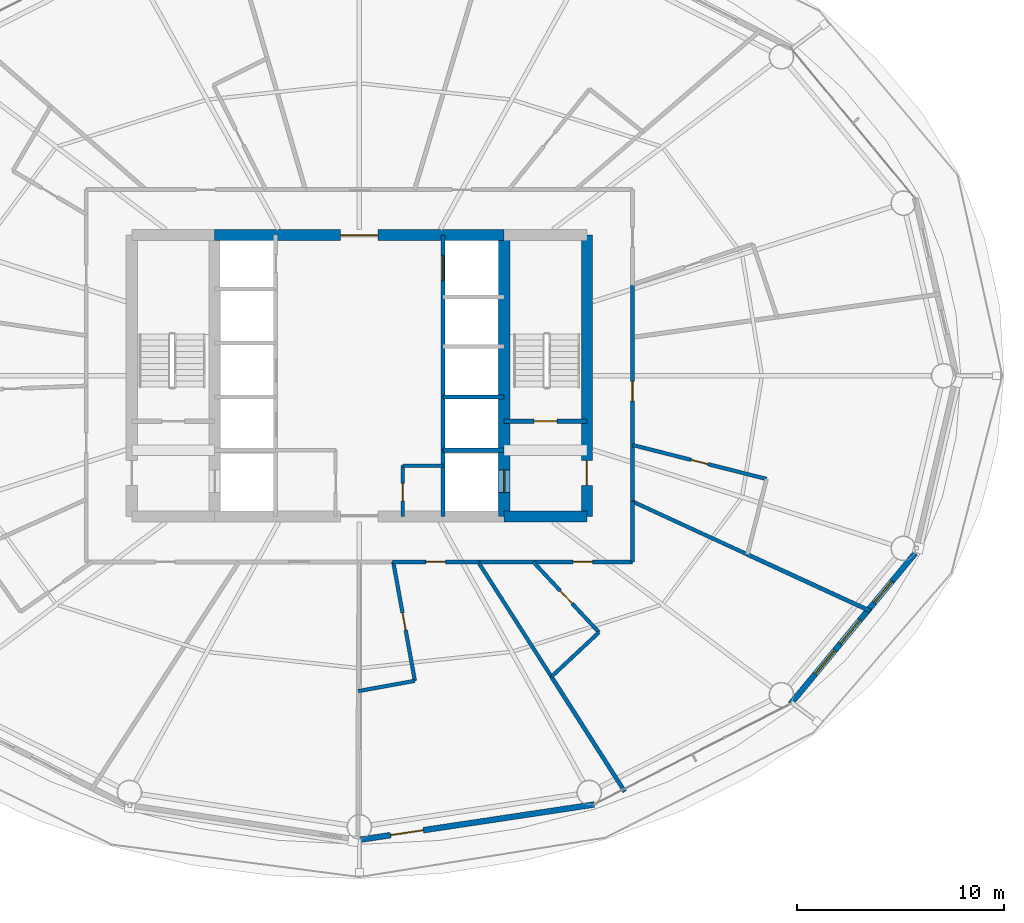
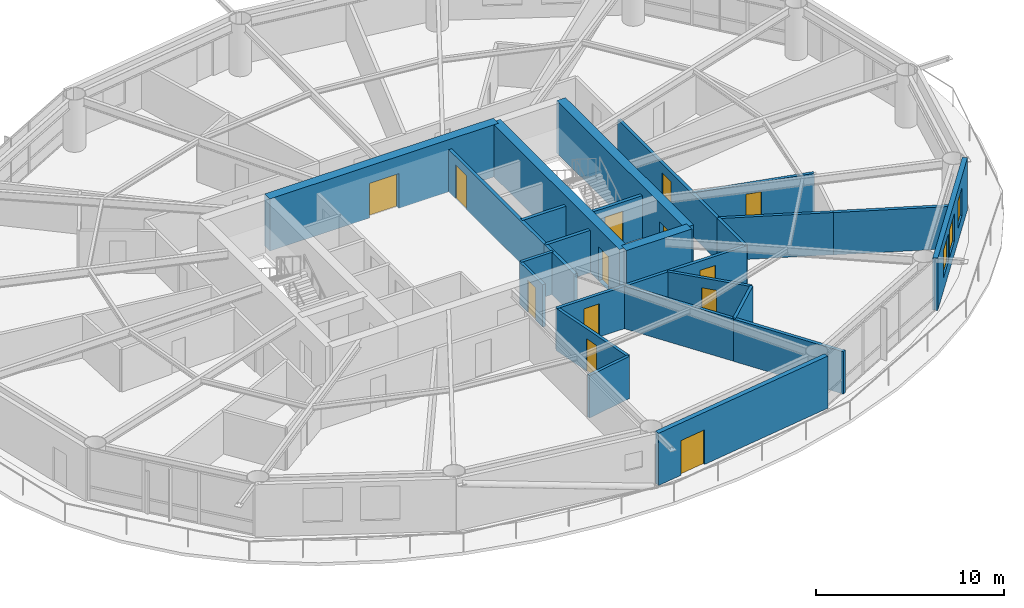
# One storey, part 19 of 24: 26 walls, 13 doors, 3 windows, 16 openings.
"""IFC4 building model written with IfcOpenShell, lengths in metres."""

from ifc_helpers import new_model, si_unit, direction, frame, frame_2d, origin, place, context, subcontext, project, spatial, rectangle, extrude, material, layer, layer_set, type_object, element, fill, save


model = new_model("IFC4")

# Units and contexts
model_context = context("Model", 3, precision=1e-05, world=origin(), true_north=direction((0.0, 1.0)))
body_context = subcontext(model_context, "Body", "Model", "MODEL_VIEW")
ifc_project = project(units=[si_unit("LENGTHUNIT", "METRE"), si_unit("AREAUNIT", "SQUARE_METRE"), si_unit("VOLUMEUNIT", "CUBIC_METRE"), si_unit("PLANEANGLEUNIT", "RADIAN"), si_unit("MASSUNIT", "GRAM", prefix="KILO")], contexts=[model_context])

# Site, building, storey
site_placement = place(None, origin())
site = spatial("IfcSite", under=ifc_project, at=site_placement, CompositionType="ELEMENT")
building_placement = place(site_placement, origin())
building = spatial("IfcBuilding", under=site, at=building_placement, Name="Sarneth Arch Tower", CompositionType="ELEMENT")
storey_placement = place(building_placement, frame((0.0, 0.0, 116.39990234375)))
storey = spatial("IfcBuildingStorey", under=building, at=storey_placement, Name="L29", CompositionType="ELEMENT", Elevation=116.39990234375)

# Wall
ifc_material_1 = material(Name="Concrete C60/75", Category="concrete")
ifc_layer_1 = layer(ifc_material_1, 0.550048828125)
ifc_layer_set_1 = layer_set([ifc_layer_1], Name="Concrete C60/75")
wall_type_1 = type_object("IfcWallType", Name="WALL-CORE-550", PredefinedType="SHEAR", material=ifc_layer_set_1)
wall_1_placement = place(storey_placement, frame((55.0, 35.199951171875, 0.0), z_axis=(0.0, 0.0, 1.0), x_axis=(1.0, 0.0, 0.0)))
element("IfcWall", 1, at=wall_1_placement, inside=storey, type_object=wall_type_1, Name="L29 Core shear wall S-E", PredefinedType="SHEAR", context=body_context, shape_type="SweptSolid", body=[
    extrude(rectangle(XDim=4.0, YDim=0.550048828125, at=frame_2d((2.0, 0.0))), origin(), (0.0, 0.0, 1.0), 3.380126953125),
])

# Wall, opening, door
wall_2_placement = place(storey_placement, frame((41.0, 48.800048828125, 0.0), z_axis=(0.0, 0.0, 1.0), x_axis=(1.0, 0.0, 0.0)))
wall_2 = element("IfcWall", 2, at=wall_2_placement, inside=storey, type_object=wall_type_1, Name="L29 Core shear wall N-M", PredefinedType="SHEAR", context=body_context, shape_type="SweptSolid", body=[
    extrude(rectangle(XDim=14.0, YDim=0.550048828125, at=frame_2d((7.0, 0.0))), origin(), (0.0, 0.0, 1.0), 3.380126953125),
])
opening_1_placement = place(wall_2_placement, frame((6.10009765625, 0.0, 0.0)))
opening_1 = element("IfcOpeningElement", 3, at=opening_1_placement, cuts=wall_2, Name="Opening FD-01", PredefinedType="OPENING", context=body_context, shape_type="SweptSolid", body=[
    extrude(rectangle(XDim=1.800048828125, YDim=2.25, at=frame_2d((0.89990234375, 1.125))), frame((0.0, 0.284912109375, 0.0), z_axis=(0.0, -1.0, 0.0), x_axis=(1.0, 0.0, 0.0)), (0.0, 0.0, 1.0), 0.570068359375),
])
ifc_material_2 = material(Name="Galvanised Steel S275 fire door set", Category="steel")
door_type_1 = type_object("IfcDoorType", Name="DR-FD90-1800", OperationType="DOUBLE_DOOR_SINGLE_SWING", PredefinedType="DOOR", material=ifc_material_2)
door_1_placement = place(opening_1_placement, origin())
door_1 = element("IfcDoor", 4, at=door_1_placement, inside=storey, type_object=door_type_1, Name="L29 Central lift lobby north door", OperationType="DOUBLE_DOOR_SINGLE_SWING", OverallHeight=2.25, OverallWidth=1.800048828125, PredefinedType="DOOR", context=body_context, shape_type="SweptSolid", body=[
    extrude(rectangle(XDim=1.800048828125, YDim=2.25, at=frame_2d((0.89990234375, 1.125))), frame((0.0, 0.02490234375, 0.0), z_axis=(0.0, -1.0, 0.0), x_axis=(1.0, 0.0, 0.0)), (0.0, 0.0, 1.0), 0.050048828125),
])
fill(opening_1, door_1)

wall_3_placement = place(storey_placement, frame((59.0, 35.199951171875, 0.0), z_axis=(0.0, 0.0, 1.0), x_axis=(0.0, 1.0, 0.0)))
wall_3 = element("IfcWall", 5, at=wall_3_placement, inside=storey, type_object=wall_type_1, Name="L29 Core shear wall E", PredefinedType="SHEAR", context=body_context, shape_type="SweptSolid", body=[
    extrude(rectangle(XDim=13.60009765625, YDim=0.550048828125, at=frame_2d((6.800048828125, 0.0))), origin(), (0.0, 0.0, 1.0), 3.380126953125),
])
opening_2_placement = place(wall_3_placement, frame((1.5, 0.0, 0.0)))
opening_2 = element("IfcOpeningElement", 6, at=opening_2_placement, cuts=wall_3, Name="Opening FD-02", PredefinedType="OPENING", context=body_context, shape_type="SweptSolid", body=[
    extrude(rectangle(XDim=1.199951171875, YDim=2.14990234375, at=frame_2d((0.60009765625, 1.074951171875))), frame((0.0, 0.284912109375, 0.0), z_axis=(0.0, -1.0, 0.0), x_axis=(1.0, 0.0, 0.0)), (0.0, 0.0, 1.0), 0.570068359375),
])
ifc_material_3 = material(Name="Galvanised Steel S275 fire door set", Category="steel")
door_type_2 = type_object("IfcDoorType", Name="DR-FD90-1200", OperationType="SINGLE_SWING_LEFT", PredefinedType="DOOR", material=ifc_material_3)
door_2_placement = place(opening_2_placement, origin())
door_2 = element("IfcDoor", 7, at=door_2_placement, inside=storey, type_object=door_type_2, Name="L29 Firefighting lobby 2 exit door", OperationType="SINGLE_SWING_RIGHT", OverallHeight=2.14990234375, OverallWidth=1.199951171875, PredefinedType="DOOR", context=body_context, shape_type="SweptSolid", body=[
    extrude(rectangle(XDim=1.199951171875, YDim=2.14990234375, at=frame_2d((0.60009765625, 1.074951171875))), frame((0.0, 0.02490234375, 0.0), z_axis=(0.0, -1.0, 0.0), x_axis=(1.0, 0.0, 0.0)), (0.0, 0.0, 1.0), 0.050048828125),
])
fill(opening_2, door_2)

wall_4_placement = place(storey_placement, frame((55.0, 35.199951171875, 0.0), z_axis=(0.0, 0.0, 1.0), x_axis=(0.0, 1.0, 0.0)))
wall_4 = element("IfcWall", 8, at=wall_4_placement, inside=storey, type_object=wall_type_1, Name="L29 Core shear wall WEB-E", PredefinedType="SHEAR", context=body_context, shape_type="SweptSolid", body=[
    extrude(rectangle(XDim=13.60009765625, YDim=0.550048828125, at=frame_2d((6.800048828125, 0.0))), origin(), (0.0, 0.0, 1.0), 3.380126953125),
])
opening_3_placement = place(wall_4_placement, frame((1.14990234375, 0.0, 0.0)))
opening_3 = element("IfcOpeningElement", 9, at=opening_3_placement, cuts=wall_4, Name="Opening LD-1", PredefinedType="OPENING", context=body_context, shape_type="SweptSolid", body=[
    extrude(rectangle(XDim=1.10009765625, YDim=2.199951171875, at=frame_2d((0.550048828125, 1.10009765625))), frame((0.0, 0.284912109375, 0.0), z_axis=(0.0, -1.0, 0.0), x_axis=(1.0, 0.0, 0.0)), (0.0, 0.0, 1.0), 0.570068359375),
])
ifc_material_4 = material(Name="Brushed Stainless Steel 304 lift landing door", Category="steel")
door_type_3 = type_object("IfcDoorType", Name="DR-LIFT-SLIDE-1100", OperationType="SLIDING_TO_LEFT", PredefinedType="DOOR", material=ifc_material_4)
door_3_placement = place(opening_3_placement, origin())
door_3 = element("IfcDoor", 10, at=door_3_placement, inside=storey, type_object=door_type_3, Name="L29 Firefighting lift landing door FL-2", OperationType="SLIDING_TO_RIGHT", OverallHeight=2.199951171875, OverallWidth=1.10009765625, PredefinedType="DOOR", context=body_context, shape_type="SweptSolid", body=[
    extrude(rectangle(XDim=1.10009765625, YDim=2.199951171875, at=frame_2d((0.550048828125, 1.10009765625))), frame((0.0, 0.02490234375, 0.0), z_axis=(0.0, -1.0, 0.0), x_axis=(1.0, 0.0, 0.0)), (0.0, 0.0, 1.0), 0.050048828125),
])
fill(opening_3, door_3)

ifc_material_5 = material(Name="Double steel-stud corridor fire wall", Category="steel")
ifc_layer_2 = layer(ifc_material_5, 0.18994140625)
ifc_layer_set_2 = layer_set([ifc_layer_2], Name="Double steel-stud corridor fire wall")
wall_type_2 = type_object("IfcWallType", Name="WALL-CORR-190", PredefinedType="PARTITIONING", material=ifc_layer_set_2)
wall_5_placement = place(storey_placement, frame((61.199951171875, 46.450439453125, 0.0), z_axis=(0.0, 0.0, 1.0), x_axis=(0.0, -1.0, 0.0)))
wall_5 = element("IfcWall", 11, at=wall_5_placement, inside=storey, type_object=wall_type_2, Name="L29 Interior partition W-L29-TP-023", PredefinedType="PARTITIONING", context=body_context, shape_type="SweptSolid", body=[
    extrude(rectangle(XDim=10.564453125, YDim=0.18994140625, at=frame_2d((5.2822265625, 0.0))), origin(), (0.0, 0.0, 1.0), 2.739990234375),
])
opening_4_placement = place(wall_5_placement, frame((4.7216796875, 0.0, 0.0)))
opening_4 = element("IfcOpeningElement", 12, at=opening_4_placement, cuts=wall_5, Name="Opening FD-09", PredefinedType="OPENING", context=body_context, shape_type="SweptSolid", body=[
    extrude(rectangle(XDim=0.949951171875, YDim=2.14990234375, at=frame_2d((0.47509765625, 1.074951171875))), frame((0.0, 0.10498046875, 0.0), z_axis=(0.0, -1.0, 0.0), x_axis=(1.0, 0.0, 0.0)), (0.0, 0.0, 1.0), 0.2099609375),
])
ifc_material_6 = material(Name="Hardwood timber hotel entrance fire door", Category="wood")
door_type_4 = type_object("IfcDoorType", Name="DR-FD60-950", OperationType="SINGLE_SWING_RIGHT", PredefinedType="DOOR", material=ifc_material_6)
door_4_placement = place(opening_4_placement, origin())
door_4 = element("IfcDoor", 13, at=door_4_placement, inside=storey, type_object=door_type_4, Name="L29 Interior door DR-L29-KEY-11", OperationType="SINGLE_SWING_LEFT", OverallHeight=2.14990234375, OverallWidth=0.949951171875, PredefinedType="DOOR", context=body_context, shape_type="SweptSolid", body=[
    extrude(rectangle(XDim=0.949951171875, YDim=2.14990234375, at=frame_2d((0.47509765625, 1.074951171875))), frame((0.0, 0.02490234375, 0.0), z_axis=(0.0, -1.0, 0.0), x_axis=(1.0, 0.0, 0.0)), (0.0, 0.0, 1.0), 0.050048828125),
])
fill(opening_4, door_4)

wall_6_placement = place(storey_placement, frame((53.705810546875, 33.0, 0.0), z_axis=(0.0, 0.0, 1.0), x_axis=(1.0, 0.0, 0.0)))
wall_6 = element("IfcWall", 14, at=wall_6_placement, inside=storey, type_object=wall_type_2, Name="L29 Interior partition W-L29-TP-020", PredefinedType="PARTITIONING", context=body_context, shape_type="SweptSolid", body=[
    extrude(rectangle(XDim=7.494140625, YDim=0.18994140625, at=frame_2d((3.7470703125, 0.0))), origin(), (0.0, 0.0, 1.0), 2.739990234375),
])
opening_5_placement = place(wall_6_placement, frame((4.622314453125, 0.0, 0.0)))
opening_5 = element("IfcOpeningElement", 15, at=opening_5_placement, cuts=wall_6, Name="Opening FD-09", PredefinedType="OPENING", context=body_context, shape_type="SweptSolid", body=[
    extrude(rectangle(XDim=0.949951171875, YDim=2.14990234375, at=frame_2d((0.47509765625, 1.074951171875))), frame((0.0, 0.10498046875, 0.0), z_axis=(0.0, -1.0, 0.0), x_axis=(1.0, 0.0, 0.0)), (0.0, 0.0, 1.0), 0.2099609375),
])
door_5_placement = place(opening_5_placement, origin())
door_5 = element("IfcDoor", 16, at=door_5_placement, inside=storey, type_object=door_type_4, Name="L29 Interior door DR-L29-KEY-10", OperationType="SINGLE_SWING_RIGHT", OverallHeight=2.14990234375, OverallWidth=0.949951171875, PredefinedType="DOOR", context=body_context, shape_type="SweptSolid", body=[
    extrude(rectangle(XDim=0.949951171875, YDim=2.14990234375, at=frame_2d((0.47509765625, 1.074951171875))), frame((0.0, 0.02490234375, 0.0), z_axis=(0.0, -1.0, 0.0), x_axis=(1.0, 0.0, 0.0)), (0.0, 0.0, 1.0), 0.050048828125),
])
fill(opening_5, door_5)

wall_7_placement = place(storey_placement, frame((53.78173828125, 33.0, 0.0), z_axis=(0.0, 0.0, 1.0), x_axis=(-1.0, 0.0, 0.0)))
wall_7 = element("IfcWall", 17, at=wall_7_placement, inside=storey, type_object=wall_type_2, Name="L29 Interior partition W-L29-TP-018", PredefinedType="PARTITIONING", context=body_context, shape_type="SweptSolid", body=[
    extrude(rectangle(XDim=4.17578125, YDim=0.18994140625, at=frame_2d((2.087890625, 0.0))), origin(), (0.0, 0.0, 1.0), 2.739990234375),
])
opening_6_placement = place(wall_7_placement, frame((1.61279296875, 0.0, 0.0)))
opening_6 = element("IfcOpeningElement", 18, at=opening_6_placement, cuts=wall_7, Name="Opening FD-09", PredefinedType="OPENING", context=body_context, shape_type="SweptSolid", body=[
    extrude(rectangle(XDim=0.949951171875, YDim=2.14990234375, at=frame_2d((0.47509765625, 1.074951171875))), frame((0.0, 0.10498046875, 0.0), z_axis=(0.0, -1.0, 0.0), x_axis=(1.0, 0.0, 0.0)), (0.0, 0.0, 1.0), 0.2099609375),
])
door_6_placement = place(opening_6_placement, origin())
door_6 = element("IfcDoor", 19, at=door_6_placement, inside=storey, type_object=door_type_4, Name="L29 Interior door DR-L29-KEY-09", OperationType="SINGLE_SWING_RIGHT", OverallHeight=2.14990234375, OverallWidth=0.949951171875, PredefinedType="DOOR", context=body_context, shape_type="SweptSolid", body=[
    extrude(rectangle(XDim=0.949951171875, YDim=2.14990234375, at=frame_2d((0.47509765625, 1.074951171875))), frame((0.0, 0.02490234375, 0.0), z_axis=(0.0, -1.0, 0.0), x_axis=(1.0, 0.0, 0.0)), (0.0, 0.0, 1.0), 0.050048828125),
])
fill(opening_6, door_6)

# Wall
wall_8_placement = place(storey_placement, frame((61.199951171875, 33.0, 0.0), z_axis=(0.0, 0.0, 1.0), x_axis=(0.0, 1.0, 0.0)))
element("IfcWall", 20, at=wall_8_placement, inside=storey, type_object=wall_type_2, Name="L29 Interior partition W-L29-TP-021", PredefinedType="PARTITIONING", context=body_context, shape_type="SweptSolid", body=[
    extrude(rectangle(XDim=2.921142578125, YDim=0.18994140625, at=frame_2d((1.46044921875, 0.0))), origin(), (0.0, 0.0, 1.0), 2.739990234375),
])

# Wall, opening, door
ifc_material_7 = material(Name="Extruded terracotta rainscreen on Concrete C40/50 backing", Category="masonry")
ifc_layer_3 = layer(ifc_material_7, 0.280029296875)
ifc_layer_set_3 = layer_set([ifc_layer_3], Name="Extruded terracotta rainscreen on Concrete C40/50 backing")
wall_type_3 = type_object("IfcWallType", Name="WALL-EXT-TERRA-280", PredefinedType="SOLIDWALL", material=ifc_layer_set_3)
wall_9_placement = place(storey_placement, frame((48.0, 19.570068359375, 0.0), z_axis=(0.0, 0.0, 1.0), x_axis=(0.988877774656, 0.148730450117, 0.0)))
wall_9 = element("IfcWall", 21, at=wall_9_placement, inside=storey, type_object=wall_type_3, Name="L29 Terracotta perimeter wall 13", PredefinedType="SOLIDWALL", context=body_context, shape_type="SweptSolid", body=[
    extrude(rectangle(XDim=11.47900390625, YDim=0.280029296875, at=frame_2d((5.739501953125, 0.0))), origin(), (0.0, 0.0, 1.0), 3.380126953125),
])
opening_7_placement = place(wall_9_placement, frame((1.523681640625, 0.0, 0.0)))
opening_7 = element("IfcOpeningElement", 22, at=opening_7_placement, cuts=wall_9, Name="Opening BD-1", PredefinedType="OPENING", context=body_context, shape_type="SweptSolid", body=[
    extrude(rectangle(XDim=1.60009765625, YDim=2.25, at=frame_2d((0.800048828125, 1.125))), frame((0.0, 0.14990234375, 0.0), z_axis=(0.0, -1.0, 0.0), x_axis=(1.0, 0.0, 0.0)), (0.0, 0.0, 1.0), 0.300048828125),
])
ifc_material_8 = material(Name="Thermally broken Aluminium 6063-T6 and laminated safety glass", Category="aluminium")
door_type_5 = type_object("IfcDoorType", Name="DR-BALC-GLZ-1600", OperationType="DOUBLE_DOOR_SINGLE_SWING", PredefinedType="DOOR", material=ifc_material_8)
door_7_placement = place(opening_7_placement, origin())
door_7 = element("IfcDoor", 23, at=door_7_placement, inside=storey, type_object=door_type_5, Name="L29 Balcony glazed door 13", OperationType="DOUBLE_DOOR_SINGLE_SWING", OverallHeight=2.25, OverallWidth=1.60009765625, PredefinedType="DOOR", context=body_context, shape_type="SweptSolid", body=[
    extrude(rectangle(XDim=1.60009765625, YDim=2.25, at=frame_2d((0.800048828125, 1.125))), frame((0.0, 0.02490234375, 0.0), z_axis=(0.0, -1.0, 0.0), x_axis=(1.0, 0.0, 0.0)), (0.0, 0.0, 1.0), 0.050048828125),
])
fill(opening_7, door_7)

# Wall, openings, windows
wall_10_placement = place(storey_placement, frame((68.840087890625, 26.1396484375, 0.0), z_axis=(0.0, 0.0, 1.0), x_axis=(0.637505817448, 0.770445541696, 0.0)))
wall_10 = element("IfcWall", 24, at=wall_10_placement, inside=storey, type_object=wall_type_3, Name="L29 Terracotta perimeter wall 15", PredefinedType="SOLIDWALL", context=body_context, shape_type="SweptSolid", body=[
    extrude(rectangle(XDim=9.445068359375, YDim=0.280029296875, at=frame_2d((4.72265625, 0.0))), origin(), (0.0, 0.0, 1.0), 3.380126953125),
])
opening_8_placement = place(wall_10_placement, frame((1.863037109375, 0.0, 0.85009765625)))
opening_8 = element("IfcOpeningElement", 25, at=opening_8_placement, cuts=wall_10, Name="Opening W-07", PredefinedType="OPENING", context=body_context, shape_type="SweptSolid", body=[
    extrude(rectangle(XDim=1.5, YDim=1.800048828125, at=frame_2d((0.75, 0.89990234375))), frame((0.0, 0.14990234375, 0.0), z_axis=(0.0, -1.0, 0.0), x_axis=(1.0, 0.0, 0.0)), (0.0, 0.0, 1.0), 0.300048828125),
])
opening_9_placement = place(wall_10_placement, frame((3.764892578125, 0.0, 0.85009765625)))
opening_9 = element("IfcOpeningElement", 26, at=opening_9_placement, cuts=wall_10, Name="Opening W-07", PredefinedType="OPENING", context=body_context, shape_type="SweptSolid", body=[
    extrude(rectangle(XDim=1.5, YDim=1.800048828125, at=frame_2d((0.75, 0.89990234375))), frame((0.0, 0.14990234375, 0.0), z_axis=(0.0, -1.0, 0.0), x_axis=(1.0, 0.0, 0.0)), (0.0, 0.0, 1.0), 0.300048828125),
])
opening_10_placement = place(wall_10_placement, frame((6.342041015625, 0.0, 0.85009765625)))
opening_10 = element("IfcOpeningElement", 27, at=opening_10_placement, cuts=wall_10, Name="Opening W-08", PredefinedType="OPENING", context=body_context, shape_type="SweptSolid", body=[
    extrude(rectangle(XDim=1.35009765625, YDim=1.800048828125, at=frame_2d((0.675048828125, 0.89990234375))), frame((0.0, 0.14990234375, 0.0), z_axis=(0.0, -1.0, 0.0), x_axis=(1.0, 0.0, 0.0)), (0.0, 0.0, 1.0), 0.300048828125),
])
ifc_material_9 = material(Name="Thermally broken Aluminium 6063-T6 and low-e laminated IGU", Category="aluminium")
window_type_1 = type_object("IfcWindowType", Name="WIN-TWR-1350x1800", PartitioningType="SINGLE_PANEL", PredefinedType="WINDOW", material=ifc_material_9)
window_1_placement = place(opening_10_placement, origin())
window_1 = element("IfcWindow", 28, at=window_1_placement, inside=storey, type_object=window_type_1, Name="L29 Exterior window 15C", OverallHeight=1.800048828125, OverallWidth=1.35009765625, PartitioningType="SINGLE_PANEL", PredefinedType="WINDOW", context=body_context, shape_type="SweptSolid", body=[
    extrude(rectangle(XDim=1.35009765625, YDim=1.800048828125, at=frame_2d((0.675048828125, 0.89990234375))), frame((0.0, 0.030029296875, 0.0), z_axis=(0.0, -1.0, 0.0), x_axis=(1.0, 0.0, 0.0)), (0.0, 0.0, 1.0), 0.06005859375),
])
fill(opening_10, window_1)
ifc_material_10 = material(Name="Thermally broken Aluminium 6063-T6 and low-e laminated IGU", Category="aluminium")
window_type_2 = type_object("IfcWindowType", Name="WIN-TWR-1500x1800", PartitioningType="SINGLE_PANEL", PredefinedType="WINDOW", material=ifc_material_10)
window_2_placement = place(opening_8_placement, origin())
window_2 = element("IfcWindow", 29, at=window_2_placement, inside=storey, type_object=window_type_2, Name="L29 Exterior window 15A", OverallHeight=1.800048828125, OverallWidth=1.5, PartitioningType="SINGLE_PANEL", PredefinedType="WINDOW", context=body_context, shape_type="SweptSolid", body=[
    extrude(rectangle(XDim=1.5, YDim=1.800048828125, at=frame_2d((0.75, 0.89990234375))), frame((0.0, 0.030029296875, 0.0), z_axis=(0.0, -1.0, 0.0), x_axis=(1.0, 0.0, 0.0)), (0.0, 0.0, 1.0), 0.06005859375),
])
fill(opening_8, window_2)
window_3_placement = place(opening_9_placement, origin())
window_3 = element("IfcWindow", 30, at=window_3_placement, inside=storey, type_object=window_type_2, Name="L29 Exterior window 15B", OverallHeight=1.800048828125, OverallWidth=1.5, PartitioningType="SINGLE_PANEL", PredefinedType="WINDOW", context=body_context, shape_type="SweptSolid", body=[
    extrude(rectangle(XDim=1.5, YDim=1.800048828125, at=frame_2d((0.75, 0.89990234375))), frame((0.0, 0.030029296875, 0.0), z_axis=(0.0, -1.0, 0.0), x_axis=(1.0, 0.0, 0.0)), (0.0, 0.0, 1.0), 0.06005859375),
])
fill(opening_9, window_3)

# Wall
ifc_material_11 = material(Name="Moisture-resistant plumbing chase wall", Category="gypsum")
ifc_layer_4 = layer(ifc_material_11, 0.179931640625)
ifc_layer_set_4 = layer_set([ifc_layer_4], Name="Moisture-resistant plumbing chase wall")
wall_type_4 = type_object("IfcWallType", Name="WALL-PLUMB-180", PredefinedType="PLUMBINGWALL", material=ifc_layer_set_4)
wall_11_placement = place(storey_placement, frame((50.10009765625, 37.64990234375, 0.0), z_axis=(0.0, 0.0, 1.0), x_axis=(1.0, 0.0, 0.0)))
element("IfcWall", 31, at=wall_11_placement, inside=storey, type_object=wall_type_4, Name="L29 Interior partition W-L29-AWC-N", PredefinedType="PLUMBINGWALL", context=body_context, shape_type="SweptSolid", body=[
    extrude(rectangle(XDim=1.949951171875, YDim=0.179931640625, at=frame_2d((0.97509765625, 0.0))), origin(), (0.0, 0.0, 1.0), 2.739990234375),
])

# Wall, opening, door
wall_12_placement = place(storey_placement, frame((50.10009765625, 35.199951171875, 0.0), z_axis=(0.0, 0.0, 1.0), x_axis=(0.0, 1.0, 0.0)))
wall_12 = element("IfcWall", 32, at=wall_12_placement, inside=storey, type_object=wall_type_4, Name="L29 Interior partition W-L29-AWC-W", PredefinedType="PLUMBINGWALL", context=body_context, shape_type="SweptSolid", body=[
    extrude(rectangle(XDim=2.449951171875, YDim=0.179931640625, at=frame_2d((1.22509765625, 0.0))), origin(), (0.0, 0.0, 1.0), 2.739990234375),
])
opening_11_placement = place(wall_12_placement, frame((0.75, 0.0, 0.0)))
opening_11 = element("IfcOpeningElement", 33, at=opening_11_placement, cuts=wall_12, Name="Opening ID-02", PredefinedType="OPENING", context=body_context, shape_type="SweptSolid", body=[
    extrude(rectangle(XDim=0.85009765625, YDim=2.10009765625, at=frame_2d((0.425048828125, 1.050048828125))), frame((0.0, 0.099853515625, 0.0), z_axis=(0.0, -1.0, 0.0), x_axis=(1.0, 0.0, 0.0)), (0.0, 0.0, 1.0), 0.199951171875),
])
ifc_material_12 = material(Name="Moisture-resistant bathroom timber door", Category="wood")
door_type_6 = type_object("IfcDoorType", Name="DR-INT-850", OperationType="SINGLE_SWING_RIGHT", PredefinedType="DOOR", material=ifc_material_12)
door_8_placement = place(opening_11_placement, origin())
door_8 = element("IfcDoor", 34, at=door_8_placement, inside=storey, type_object=door_type_6, Name="L29 Interior door DR-L29-AWC", OperationType="SINGLE_SWING_RIGHT", OverallHeight=2.10009765625, OverallWidth=0.85009765625, PredefinedType="DOOR", context=body_context, shape_type="SweptSolid", body=[
    extrude(rectangle(XDim=0.85009765625, YDim=2.10009765625, at=frame_2d((0.425048828125, 1.050048828125))), frame((0.0, 0.02490234375, 0.0), z_axis=(0.0, -1.0, 0.0), x_axis=(1.0, 0.0, 0.0)), (0.0, 0.0, 1.0), 0.050048828125),
])
fill(opening_11, door_8)

wall_13_placement = place(storey_placement, frame((61.199951171875, 38.6533203125, 0.0), z_axis=(0.0, 0.0, 1.0), x_axis=(0.96932048276, -0.24580032893, 0.0)))
wall_13 = element("IfcWall", 35, at=wall_13_placement, inside=storey, type_object=wall_type_4, Name="L29 Interior partition W-L29-TP-061", PredefinedType="PLUMBINGWALL", context=body_context, shape_type="SweptSolid", body=[
    extrude(rectangle(XDim=6.68359375, YDim=0.179931640625, at=frame_2d((3.341796875, 0.0))), origin(), (0.0, 0.0, 1.0), 2.739990234375),
])
opening_12_placement = place(wall_13_placement, frame((2.916748046875, 0.0, 0.0)))
opening_12 = element("IfcOpeningElement", 36, at=opening_12_placement, cuts=wall_13, Name="Opening ID-02", PredefinedType="OPENING", context=body_context, shape_type="SweptSolid", body=[
    extrude(rectangle(XDim=0.85009765625, YDim=2.10009765625, at=frame_2d((0.425048828125, 1.050048828125))), frame((0.0, 0.099853515625, 0.0), z_axis=(0.0, -1.0, 0.0), x_axis=(1.0, 0.0, 0.0)), (0.0, 0.0, 1.0), 0.199951171875),
])
door_9_placement = place(opening_12_placement, origin())
door_9 = element("IfcDoor", 37, at=door_9_placement, inside=storey, type_object=door_type_6, Name="L29 Interior door DR-L29-ENS-11", OperationType="SINGLE_SWING_LEFT", OverallHeight=2.10009765625, OverallWidth=0.85009765625, PredefinedType="DOOR", context=body_context, shape_type="SweptSolid", body=[
    extrude(rectangle(XDim=0.85009765625, YDim=2.10009765625, at=frame_2d((0.425048828125, 1.050048828125))), frame((0.0, 0.02490234375, 0.0), z_axis=(0.0, -1.0, 0.0), x_axis=(1.0, 0.0, 0.0)), (0.0, 0.0, 1.0), 0.050048828125),
])
fill(opening_12, door_9)

# Walls
wall_14_placement = place(storey_placement, frame((57.282958984375, 27.454345703125, 0.0), z_axis=(0.0, 0.0, 1.0), x_axis=(-0.537984400251, 0.842954794213, 0.0)))
element("IfcWall", 38, at=wall_14_placement, inside=storey, type_object=wall_type_4, Name="L29 Interior partition W-L29-TP-056", PredefinedType="PLUMBINGWALL", context=body_context, shape_type="SweptSolid", body=[
    extrude(rectangle(XDim=6.578857421875, YDim=0.179931640625, at=frame_2d((3.28955078125, 0.0))), origin(), (0.0, 0.0, 1.0), 2.739990234375),
])
wall_15_placement = place(storey_placement, frame((66.75390625, 33.36328125, 0.0), z_axis=(0.0, 0.0, 1.0), x_axis=(-0.908301480607, 0.418316172681, 0.0)))
element("IfcWall", 39, at=wall_15_placement, inside=storey, type_object=wall_type_4, Name="L29 Interior partition W-L29-TP-060", PredefinedType="PLUMBINGWALL", context=body_context, shape_type="SweptSolid", body=[
    extrude(rectangle(XDim=6.11474609375, YDim=0.179931640625, at=frame_2d((3.057373046875, 0.0))), origin(), (0.0, 0.0, 1.0), 2.739990234375),
])

# Wall, opening, door
wall_16_placement = place(storey_placement, frame((49.638427734375, 33.0, 0.0), z_axis=(0.0, 0.0, 1.0), x_axis=(0.179135653645, -0.983824383512, 0.0)))
wall_16 = element("IfcWall", 40, at=wall_16_placement, inside=storey, type_object=wall_type_4, Name="L29 Interior partition W-L29-TP-053", PredefinedType="PLUMBINGWALL", context=body_context, shape_type="SweptSolid", body=[
    extrude(rectangle(XDim=5.838623046875, YDim=0.179931640625, at=frame_2d((2.91943359375, 0.0))), origin(), (0.0, 0.0, 1.0), 2.739990234375),
])
opening_13_placement = place(wall_16_placement, frame((2.494384765625, 0.0, 0.0)))
opening_13 = element("IfcOpeningElement", 41, at=opening_13_placement, cuts=wall_16, Name="Opening ID-02", PredefinedType="OPENING", context=body_context, shape_type="SweptSolid", body=[
    extrude(rectangle(XDim=0.85009765625, YDim=2.10009765625, at=frame_2d((0.425048828125, 1.050048828125))), frame((0.0, 0.099853515625, 0.0), z_axis=(0.0, -1.0, 0.0), x_axis=(1.0, 0.0, 0.0)), (0.0, 0.0, 1.0), 0.199951171875),
])
door_10_placement = place(opening_13_placement, origin())
door_10 = element("IfcDoor", 42, at=door_10_placement, inside=storey, type_object=door_type_6, Name="L29 Interior door DR-L29-ENS-09", OperationType="SINGLE_SWING_LEFT", OverallHeight=2.10009765625, OverallWidth=0.85009765625, PredefinedType="DOOR", context=body_context, shape_type="SweptSolid", body=[
    extrude(rectangle(XDim=0.85009765625, YDim=2.10009765625, at=frame_2d((0.425048828125, 1.050048828125))), frame((0.0, 0.02490234375, 0.0), z_axis=(0.0, -1.0, 0.0), x_axis=(1.0, 0.0, 0.0)), (0.0, 0.0, 1.0), 0.050048828125),
])
fill(opening_13, door_10)

wall_17_placement = place(storey_placement, frame((56.406005859375, 33.0, 0.0), z_axis=(0.0, 0.0, 1.0), x_axis=(0.682578142961, -0.730812615348, 0.0)))
wall_17 = element("IfcWall", 43, at=wall_17_placement, inside=storey, type_object=wall_type_4, Name="L29 Interior partition W-L29-TP-057", PredefinedType="PLUMBINGWALL", context=body_context, shape_type="SweptSolid", body=[
    extrude(rectangle(XDim=4.651611328125, YDim=0.179931640625, at=frame_2d((2.32568359375, 0.0))), origin(), (0.0, 0.0, 1.0), 2.739990234375),
])
opening_14_placement = place(wall_17_placement, frame((1.900634765625, 0.0, 0.0)))
opening_14 = element("IfcOpeningElement", 44, at=opening_14_placement, cuts=wall_17, Name="Opening ID-02", PredefinedType="OPENING", context=body_context, shape_type="SweptSolid", body=[
    extrude(rectangle(XDim=0.85009765625, YDim=2.10009765625, at=frame_2d((0.425048828125, 1.050048828125))), frame((0.0, 0.099853515625, 0.0), z_axis=(0.0, -1.0, 0.0), x_axis=(1.0, 0.0, 0.0)), (0.0, 0.0, 1.0), 0.199951171875),
])
door_11_placement = place(opening_14_placement, origin())
door_11 = element("IfcDoor", 45, at=door_11_placement, inside=storey, type_object=door_type_6, Name="L29 Interior door DR-L29-ENS-10", OperationType="SINGLE_SWING_LEFT", OverallHeight=2.10009765625, OverallWidth=0.85009765625, PredefinedType="DOOR", context=body_context, shape_type="SweptSolid", body=[
    extrude(rectangle(XDim=0.85009765625, YDim=2.10009765625, at=frame_2d((0.425048828125, 1.050048828125))), frame((0.0, 0.02490234375, 0.0), z_axis=(0.0, -1.0, 0.0), x_axis=(1.0, 0.0, 0.0)), (0.0, 0.0, 1.0), 0.050048828125),
])
fill(opening_14, door_11)

# Walls
wall_18_placement = place(storey_placement, frame((59.5810546875, 29.6005859375, 0.0), z_axis=(0.0, 0.0, 1.0), x_axis=(-0.730840933831, -0.682547822088, 0.0)))
element("IfcWall", 46, at=wall_18_placement, inside=storey, type_object=wall_type_4, Name="L29 Interior partition W-L29-TP-058", PredefinedType="PLUMBINGWALL", context=body_context, shape_type="SweptSolid", body=[
    extrude(rectangle(XDim=3.14453125, YDim=0.179931640625, at=frame_2d((1.572265625, 0.0))), origin(), (0.0, 0.0, 1.0), 2.739990234375),
])
wall_19_placement = place(storey_placement, frame((50.684326171875, 27.255859375, 0.0), z_axis=(0.0, 0.0, 1.0), x_axis=(-0.983824875987, -0.17913294892, 0.0)))
element("IfcWall", 47, at=wall_19_placement, inside=storey, type_object=wall_type_4, Name="L29 Interior partition W-L29-TP-054", PredefinedType="PLUMBINGWALL", context=body_context, shape_type="SweptSolid", body=[
    extrude(rectangle(XDim=2.777587890625, YDim=0.179931640625, at=frame_2d((1.388671875, 0.0))), origin(), (0.0, 0.0, 1.0), 2.739990234375),
])

# Wall, opening, door
ifc_material_13 = material(Name="Aerated concrete blockwork C25/30", Category="masonry")
ifc_layer_5 = layer(ifc_material_13, 0.199951171875)
ifc_layer_set_5 = layer_set([ifc_layer_5], Name="Aerated concrete blockwork C25/30")
wall_type_5 = type_object("IfcWallType", Name="WALL-SHAFT-200", PredefinedType="SOLIDWALL", material=ifc_layer_set_5)
wall_20_placement = place(storey_placement, frame((55.0, 39.800048828125, 0.0), z_axis=(0.0, 0.0, 1.0), x_axis=(1.0, 0.0, 0.0)))
wall_20 = element("IfcWall", 48, at=wall_20_placement, inside=storey, type_object=wall_type_5, Name="L29 Interior partition W-L29-ST2-S", PredefinedType="SOLIDWALL", context=body_context, shape_type="SweptSolid", body=[
    extrude(rectangle(XDim=4.0, YDim=0.199951171875, at=frame_2d((2.0, 0.0))), origin(), (0.0, 0.0, 1.0), 2.739990234375),
])
opening_15_placement = place(wall_20_placement, frame((1.449951171875, 0.0, 0.0)))
opening_15 = element("IfcOpeningElement", 49, at=opening_15_placement, cuts=wall_20, Name="Opening FD-03", PredefinedType="OPENING", context=body_context, shape_type="SweptSolid", body=[
    extrude(rectangle(XDim=1.10009765625, YDim=2.14990234375, at=frame_2d((0.550048828125, 1.074951171875))), frame((0.0, 0.10986328125, 0.0), z_axis=(0.0, -1.0, 0.0), x_axis=(1.0, 0.0, 0.0)), (0.0, 0.0, 1.0), 0.219970703125),
])
ifc_material_14 = material(Name="Galvanised Steel S275 fire door set", Category="steel")
door_type_7 = type_object("IfcDoorType", Name="DR-FD90-1100", OperationType="SINGLE_SWING_LEFT", PredefinedType="DOOR", material=ifc_material_14)
door_12_placement = place(opening_15_placement, origin())
door_12 = element("IfcDoor", 50, at=door_12_placement, inside=storey, type_object=door_type_7, Name="L29 Interior door DR-L29-ST2", OperationType="SINGLE_SWING_RIGHT", OverallHeight=2.14990234375, OverallWidth=1.10009765625, PredefinedType="DOOR", context=body_context, shape_type="SweptSolid", body=[
    extrude(rectangle(XDim=1.10009765625, YDim=2.14990234375, at=frame_2d((0.550048828125, 1.074951171875))), frame((0.0, 0.02490234375, 0.0), z_axis=(0.0, -1.0, 0.0), x_axis=(1.0, 0.0, 0.0)), (0.0, 0.0, 1.0), 0.050048828125),
])
fill(opening_15, door_12)

# Walls
wall_21_placement = place(storey_placement, frame((52.050048828125, 35.199951171875, 0.0), z_axis=(0.0, 0.0, 1.0), x_axis=(0.0, 1.0, 0.0)))
element("IfcWall", 51, at=wall_21_placement, inside=storey, type_object=wall_type_5, Name="L29 Interior partition W-L29-FL2-W", PredefinedType="SOLIDWALL", context=body_context, shape_type="SweptSolid", body=[
    extrude(rectangle(XDim=3.199951171875, YDim=0.199951171875, at=frame_2d((1.60009765625, 0.0))), origin(), (0.0, 0.0, 1.0), 2.739990234375),
])
wall_22_placement = place(storey_placement, frame((52.050048828125, 38.39990234375, 0.0), z_axis=(0.0, 0.0, 1.0), x_axis=(1.0, 0.0, 0.0)))
element("IfcWall", 52, at=wall_22_placement, inside=storey, type_object=wall_type_5, Name="L29 Interior partition W-L29-FL2-N", PredefinedType="SOLIDWALL", context=body_context, shape_type="SweptSolid", body=[
    extrude(rectangle(XDim=2.949951171875, YDim=0.199951171875, at=frame_2d((1.47509765625, 0.0))), origin(), (0.0, 0.0, 1.0), 2.739990234375),
])

# Wall, opening, door
wall_23_placement = place(storey_placement, frame((52.050048828125, 38.39990234375, 0.0), z_axis=(0.0, 0.0, 1.0), x_axis=(0.0, 1.0, 0.0)))
wall_23 = element("IfcWall", 53, at=wall_23_placement, inside=storey, type_object=wall_type_5, Name="L29 Interior partition W-L29-EASTBANK-FRONT", PredefinedType="SOLIDWALL", context=body_context, shape_type="SweptSolid", body=[
    extrude(rectangle(XDim=10.400146484375, YDim=0.199951171875, at=frame_2d((5.2001953125, 0.0))), origin(), (0.0, 0.0, 1.0), 2.739990234375),
])
opening_16_placement = place(wall_23_placement, frame((8.199951171875, 0.0, 0.0)))
opening_16 = element("IfcOpeningElement", 54, at=opening_16_placement, cuts=wall_23, Name="Opening LD-2", PredefinedType="OPENING", context=body_context, shape_type="SweptSolid", body=[
    extrude(rectangle(XDim=1.199951171875, YDim=2.199951171875, at=frame_2d((0.60009765625, 1.10009765625))), frame((0.0, 0.10986328125, 0.0), z_axis=(0.0, -1.0, 0.0), x_axis=(1.0, 0.0, 0.0)), (0.0, 0.0, 1.0), 0.219970703125),
])
ifc_material_15 = material(Name="Brushed Stainless Steel 304 service lift door", Category="steel")
door_type_8 = type_object("IfcDoorType", Name="DR-LIFT-SLIDE-1200", OperationType="SLIDING_TO_RIGHT", PredefinedType="DOOR", material=ifc_material_15)
door_13_placement = place(opening_16_placement, origin())
door_13 = element("IfcDoor", 55, at=door_13_placement, inside=storey, type_object=door_type_8, Name="L29 Lift landing door DR-L29-LD-SL1", OperationType="SLIDING_TO_RIGHT", OverallHeight=2.199951171875, OverallWidth=1.199951171875, PredefinedType="DOOR", context=body_context, shape_type="SweptSolid", body=[
    extrude(rectangle(XDim=1.199951171875, YDim=2.199951171875, at=frame_2d((0.60009765625, 1.10009765625))), frame((0.0, 0.02490234375, 0.0), z_axis=(0.0, -1.0, 0.0), x_axis=(1.0, 0.0, 0.0)), (0.0, 0.0, 1.0), 0.050048828125),
])
fill(opening_16, door_13)

# Walls
wall_24_placement = place(storey_placement, frame((52.050048828125, 40.97998046875, 0.0), z_axis=(0.0, 0.0, 1.0), x_axis=(1.0, 0.0, 0.0)))
element("IfcWall", 56, at=wall_24_placement, inside=storey, type_object=wall_type_5, Name="L29 Interior partition W-L29-EB-DIV-4098", PredefinedType="SOLIDWALL", context=body_context, shape_type="SweptSolid", body=[
    extrude(rectangle(XDim=2.949951171875, YDim=0.199951171875, at=frame_2d((1.47509765625, 0.0))), origin(), (0.0, 0.0, 1.0), 2.739990234375),
])
ifc_material_16 = material(Name="Double steel-stud acoustic drywall", Category="steel")
ifc_layer_6 = layer(ifc_material_16, 0.199951171875)
ifc_layer_set_6 = layer_set([ifc_layer_6], Name="Double steel-stud acoustic drywall")
wall_type_6 = type_object("IfcWallType", Name="WALL-UNIT-200", PredefinedType="PARTITIONING", material=ifc_layer_set_6)
wall_25_placement = place(storey_placement, frame((60.827880859375, 21.899658203125, 0.0), z_axis=(0.0, 0.0, 1.0), x_axis=(-0.537968238966, 0.842965108331, 0.0)))
element("IfcWall", 57, at=wall_25_placement, inside=storey, type_object=wall_type_6, Name="L29 Interior partition W-L29-TP-055", PredefinedType="PARTITIONING", context=body_context, shape_type="SweptSolid", body=[
    extrude(rectangle(XDim=6.58935546875, YDim=0.199951171875, at=frame_2d((3.294677734375, 0.0))), origin(), (0.0, 0.0, 1.0), 2.739990234375),
])
wall_26_placement = place(storey_placement, frame((72.701416015625, 30.624267578125, 0.0), z_axis=(0.0, 0.0, 1.0), x_axis=(-0.9083071886, 0.418303778536, 0.0)))
element("IfcWall", 58, at=wall_26_placement, inside=storey, type_object=wall_type_6, Name="L29 Interior partition W-L29-TP-059", PredefinedType="PARTITIONING", context=body_context, shape_type="SweptSolid", body=[
    extrude(rectangle(XDim=6.5478515625, YDim=0.199951171875, at=frame_2d((3.27392578125, 0.0))), origin(), (0.0, 0.0, 1.0), 2.739990234375),
])

save(model, "model.ifc")
